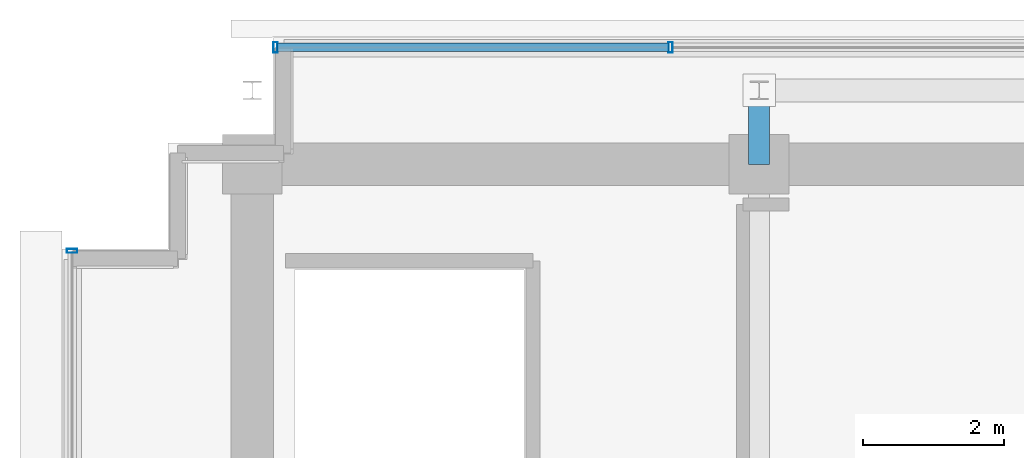
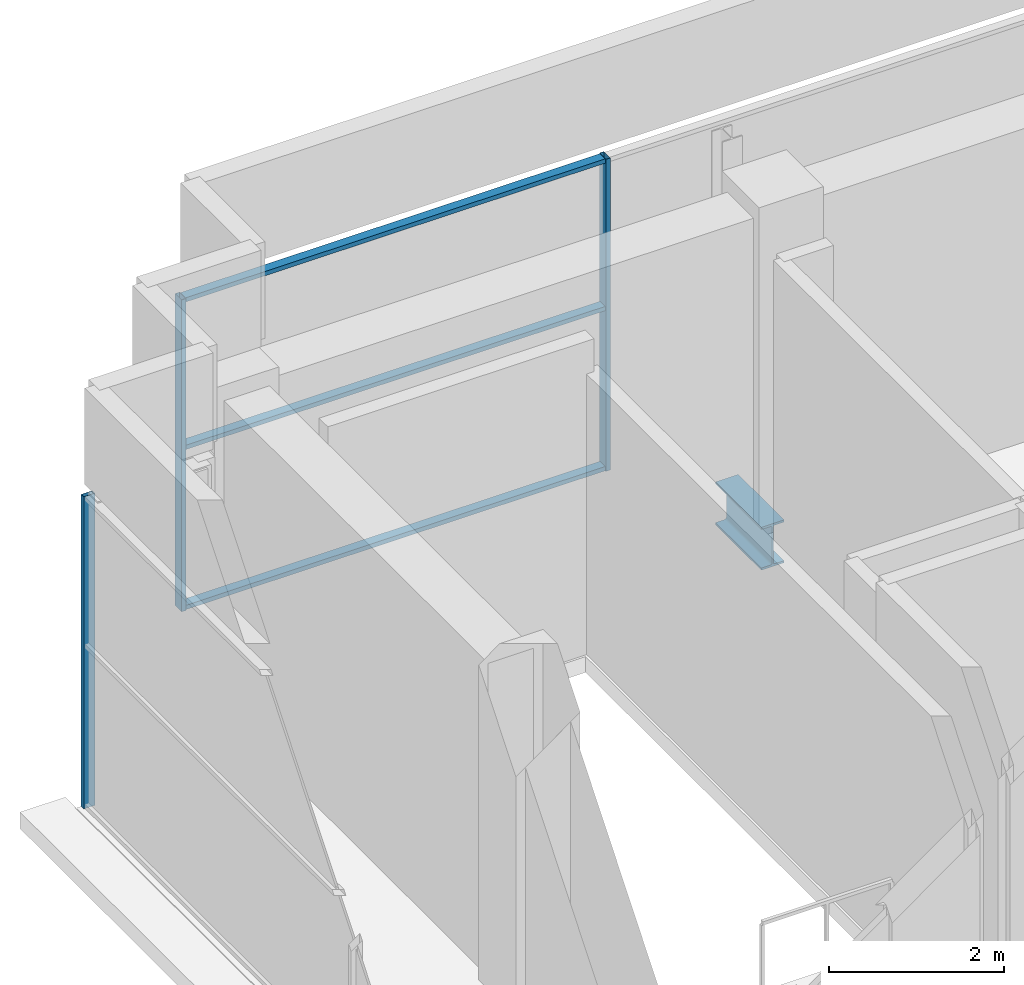
# One storey, part 13 of 22: 6 members, 1 beam, 2 elements without a shape of their own.
"""IFC4 building model written with IfcOpenShell, lengths in metres."""

from ifc_helpers import new_model, si_unit, direction, frame, origin, origin_2d, place, context, subcontext, project, spatial, hollow_rectangle, i_section, extrude, source, transform, mapped, material, layer, layer_set, material_profile, profile_set, type_object, element, aggregate, save


model = new_model("IFC4")

# Units and contexts
model_context = context("Model", 3, precision=1e-05, world=origin(), true_north=direction((0.0, 1.0)))
body_context = subcontext(model_context, "Body", "Model", "MODEL_VIEW")
ifc_project = project(units=[si_unit("LENGTHUNIT", "METRE"), si_unit("AREAUNIT", "SQUARE_METRE"), si_unit("VOLUMEUNIT", "CUBIC_METRE"), si_unit("PLANEANGLEUNIT", "RADIAN"), si_unit("MASSUNIT", "GRAM", prefix="KILO")], contexts=[model_context])

# Site, building, storey
site_placement = place(None, origin())
site = spatial("IfcSite", under=ifc_project, at=site_placement, CompositionType="ELEMENT")
building_placement = place(site_placement, origin())
building = spatial("IfcBuilding", under=site, at=building_placement, Name="Zarnakvel Exchange Tower", CompositionType="ELEMENT")
storey_placement = place(building_placement, frame((0.0, 0.0, 299.199951171875)))
storey = spatial("IfcBuildingStorey", under=building, at=storey_placement, Name="Crown L83", CompositionType="ELEMENT", Elevation=299.199951171875)

# Beam
ifc_material_1 = material(Name="Steel S355", Category="steel")
ifc_material_profile_1 = material_profile(ifc_material_1, i_section(OverallWidth=0.300048828125, OverallDepth=0.60009765625, WebThickness=0.015380859375, FlangeThickness=0.030029296875, FilletRadius=0.027099609375, at=origin_2d()))
ifc_profile_set_1 = profile_set([ifc_material_profile_1], Name="Steel S355")
beam_type = type_object("IfcBeamType", Name="G-04", PredefinedType="BEAM", material=ifc_profile_set_1)
beam_placement = place(storey_placement, frame((-7.199951171875, 13.5, -0.52001953125), z_axis=(0.0, 1.0, 0.0), x_axis=(-1.0, 0.0, 0.0)))
element("IfcBeam", 1, at=beam_placement, inside=storey, type_object=beam_type, Name="Crown L83 Tower N-S Frame Beam", PredefinedType="BEAM", context=body_context, shape_type="SweptSolid", body=[
    extrude(i_section(OverallWidth=0.300048828125, OverallDepth=0.60009765625, WebThickness=0.015380859375, FlangeThickness=0.030029296875, FilletRadius=0.027099609375, at=origin_2d()), origin(), (0.0, 0.0, 1.0), 1.050048828125),
])

# Curtain wall, members
ifc_material_2 = material(Name="Architectural Bronze Anodised Aluminium", Category="aluminium")
ifc_layer = layer(ifc_material_2, 0.14990234375)
ifc_layer_set = layer_set([ifc_layer], Name="Architectural Bronze Anodised Aluminium")
curtain_wall_type = type_object("IfcCurtainWallType", Name="CW-07", PredefinedType="NOTDEFINED", material=ifc_layer_set)
curtain_wall_1_placement = place(storey_placement, origin())
curtain_wall_1 = element("IfcCurtainWall", 2, at=curtain_wall_1_placement, inside=storey, type_object=curtain_wall_type, Name="Crown L83 Curtain Wall CW-Crown L83-N (CW-07)", PredefinedType="NOTDEFINED")
ifc_material_profile_2 = material_profile(ifc_material_2, hollow_rectangle(XDim=0.14990234375, YDim=0.06005859375, WallThickness=0.00390625, at=origin_2d()))
ifc_profile_set_2 = profile_set([ifc_material_profile_2], Name="Architectural Bronze Anodised Aluminium")
member_type_1 = type_object("IfcMemberType", Name="CWM-07", PredefinedType="MULLION", material=ifc_profile_set_2)
shared_shape_1 = source(origin(), body_context, "Body", "SweptSolid", [
    extrude(hollow_rectangle(XDim=0.14990234375, YDim=0.06005859375, WallThickness=0.00390625, at=origin_2d()), origin(), (0.0, 0.0, 1.0), 4.360107421875),
])
member_1_placement = place(storey_placement, frame((-14.070068359375, 15.159912109375, 0.0), z_axis=(0.0, 0.0, 1.0), x_axis=(0.0, 1.0, 0.0)))
member_1 = element("IfcMember", 3, at=member_1_placement, type_object=member_type_1, Name="CW-07 mullion 1", PredefinedType="MULLION", context=body_context, shape_type="MappedRepresentation", body=[
    mapped(shared_shape_1, transform((0.0, 0.0, 0.0), x_axis=(1.0, 0.0, 0.0), y_axis=(0.0, 1.0, 0.0), z_axis=(0.0, 0.0, 1.0), scale=1.0)),
])
member_2_placement = place(storey_placement, frame((-8.4599609375, 15.159912109375, 0.0), z_axis=(0.0, 0.0, 1.0), x_axis=(0.0, 1.0, 0.0)))
member_2 = element("IfcMember", 4, at=member_2_placement, type_object=member_type_1, Name="CW-07 mullion 2", PredefinedType="MULLION", context=body_context, shape_type="MappedRepresentation", body=[
    mapped(shared_shape_1, transform((0.0, 0.0, 0.0), x_axis=(1.0, 0.0, 0.0), y_axis=(0.0, 1.0, 0.0), z_axis=(0.0, 0.0, 1.0), scale=1.0)),
])

# Curtain wall, member
curtain_wall_2_placement = place(storey_placement, origin())
curtain_wall_2 = element("IfcCurtainWall", 5, at=curtain_wall_2_placement, inside=storey, type_object=curtain_wall_type, Name="Crown L83 Curtain Wall CW-Crown L83-W (CW-07)", PredefinedType="NOTDEFINED")
member_3_placement = place(storey_placement, frame((-16.9599609375, 12.27001953125, 0.0), z_axis=(0.0, 0.0, 1.0), x_axis=(-1.0, 0.0, 0.0)))
member_3 = element("IfcMember", 6, at=member_3_placement, type_object=member_type_1, Name="CW-07 mullion 5", PredefinedType="MULLION", context=body_context, shape_type="MappedRepresentation", body=[
    mapped(shared_shape_1, transform((0.0, 0.0, 0.0), x_axis=(1.0, 0.0, 0.0), y_axis=(0.0, 1.0, 0.0), z_axis=(0.0, 0.0, 1.0), scale=1.0)),
])
aggregate(curtain_wall_2, [member_3])

# Member
ifc_material_profile_3 = material_profile(ifc_material_2, hollow_rectangle(XDim=0.1201171875, YDim=0.06005859375, WallThickness=0.00390625, at=origin_2d()))
ifc_profile_set_3 = profile_set([ifc_material_profile_3], Name="Architectural Bronze Anodised Aluminium")
member_type_2 = type_object("IfcMemberType", Name="CWT-07", PredefinedType="USERDEFINED", material=ifc_profile_set_3)
shared_shape_2 = source(origin(), body_context, "Body", "SweptSolid", [
    extrude(hollow_rectangle(XDim=0.1201171875, YDim=0.06005859375, WallThickness=0.00390625, at=origin_2d()), origin(), (0.0, 0.0, 1.0), 5.550048828125),
])
member_4_placement = place(storey_placement, frame((-14.0400390625, 15.159912109375, 0.030029296875), z_axis=(1.0, 0.0, 0.0), x_axis=(0.0, 1.0, 0.0)))
member_4 = element("IfcMember", 7, at=member_4_placement, type_object=member_type_2, Name="CW-07 transom 1.1", ObjectType="TRANSOM", PredefinedType="USERDEFINED", context=body_context, shape_type="MappedRepresentation", body=[
    mapped(shared_shape_2, transform((0.0, 0.0, 0.0), x_axis=(1.0, 0.0, 0.0), y_axis=(0.0, 1.0, 0.0), z_axis=(0.0, 0.0, 1.0), scale=1.0)),
])

member_5_placement = place(storey_placement, frame((-14.0400390625, 15.159912109375, 2.267333984375), z_axis=(1.0, 0.0, 0.0), x_axis=(0.0, 1.0, 0.0)))
member_5 = element("IfcMember", 8, at=member_5_placement, type_object=member_type_2, Name="CW-07 transom 1.2", ObjectType="TRANSOM", PredefinedType="USERDEFINED", context=body_context, shape_type="MappedRepresentation", body=[
    mapped(shared_shape_2, transform((0.0, 0.0, 0.0), x_axis=(1.0, 0.0, 0.0), y_axis=(0.0, 1.0, 0.0), z_axis=(0.0, 0.0, 1.0), scale=1.0)),
])

member_6_placement = place(storey_placement, frame((-14.0400390625, 15.159912109375, 4.330078125), z_axis=(1.0, 0.0, 0.0), x_axis=(0.0, 1.0, 0.0)))
member_6 = element("IfcMember", 9, at=member_6_placement, type_object=member_type_2, Name="CW-07 transom 1.3", ObjectType="TRANSOM", PredefinedType="USERDEFINED", context=body_context, shape_type="MappedRepresentation", body=[
    mapped(shared_shape_2, transform((0.0, 0.0, 0.0), x_axis=(1.0, 0.0, 0.0), y_axis=(0.0, 1.0, 0.0), z_axis=(0.0, 0.0, 1.0), scale=1.0)),
])

aggregate(curtain_wall_1, [member_1, member_2, member_4, member_5, member_6])

save(model, "model.ifc")
